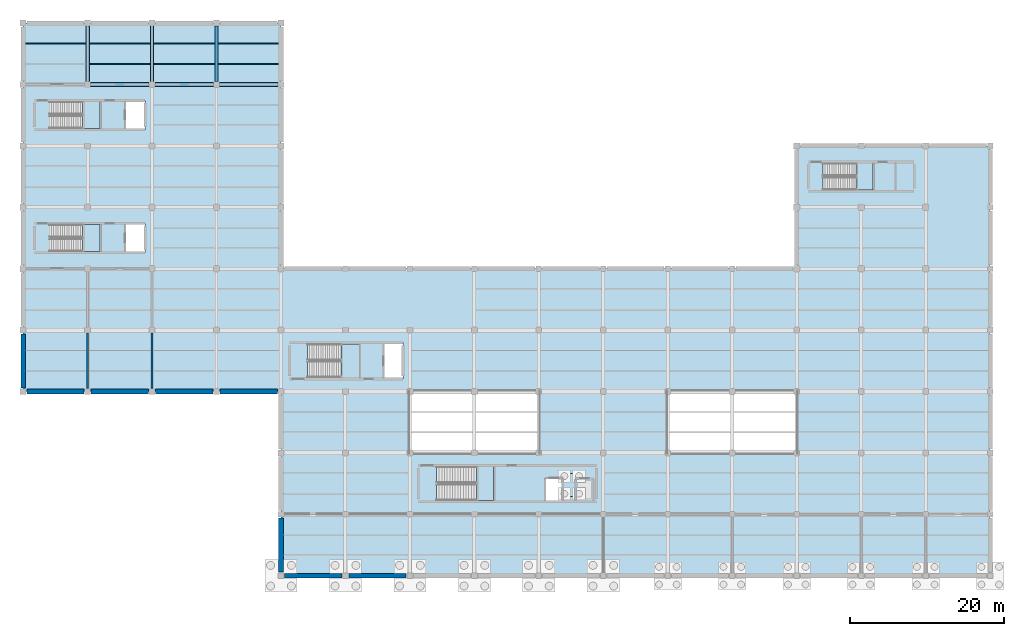
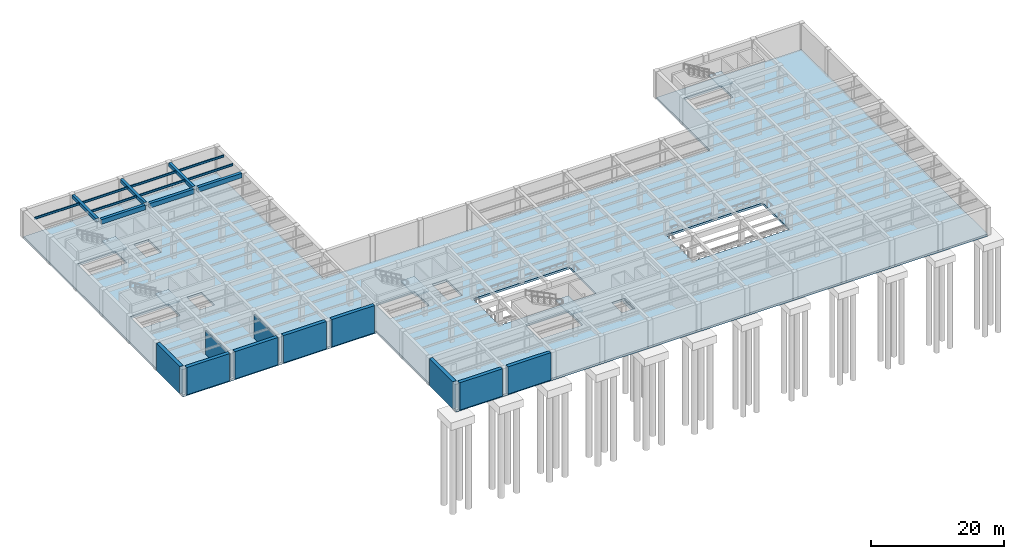
# One storey, part 4 of 16: 13 beams, 10 walls, 7 slabs, 5 elements without a shape of their own.
"""IFC4 building model written with IfcOpenShell, lengths in metres."""

from ifc_helpers import new_model, si_unit, direction, frame, frame_2d, origin, origin_2d, place, context, subcontext, project, spatial, polyline, rectangle, i_section, outline, extrude, material, layer, layer_set, material_profile, profile_set, type_object, element, aggregate, save


model = new_model("IFC4")

# Units and contexts
model_context = context("Model", 3, precision=1e-05, world=origin(), true_north=direction((0.0, 1.0)))
body_context = subcontext(model_context, "Body", "Model", "MODEL_VIEW")
ifc_project = project(units=[si_unit("LENGTHUNIT", "METRE"), si_unit("AREAUNIT", "SQUARE_METRE"), si_unit("VOLUMEUNIT", "CUBIC_METRE"), si_unit("PLANEANGLEUNIT", "RADIAN"), si_unit("MASSUNIT", "GRAM", prefix="KILO")], contexts=[model_context])

# Site, building, storey
site_placement = place(None, origin())
site = spatial("IfcSite", under=ifc_project, at=site_placement, CompositionType="ELEMENT")
building_placement = place(site_placement, origin())
building = spatial("IfcBuilding", under=site, at=building_placement, Name="Kranzveld Transit Interchange", CompositionType="ELEMENT")
storey_placement = place(building_placement, frame((0.0, 0.0, -5.43994140625)))
storey = spatial("IfcBuildingStorey", under=building, at=storey_placement, Name="B1", CompositionType="ELEMENT", Elevation=-5.43994140625)

# Beams
ifc_material_1 = material(Name="Concrete C35/45", Category="concrete")
ifc_material_profile_1 = material_profile(ifc_material_1, rectangle(XDim=0.449951171875, YDim=0.64990234375, at=origin_2d()), Name="RC 450x650")
ifc_profile_set_1 = profile_set([ifc_material_profile_1], Name="Concrete C35/45")
beam_type_1 = type_object("IfcBeamType", Name="Beam RC 450x650 C35/45", PredefinedType="BEAM", material=ifc_profile_set_1)
for number, where, z_axis, x_axis, name in (
    (1, (8.39990234375, 88.389892578125, 4.69482421875), (0.0, 1.0, 0.0), (-1.0, 0.0, 0.0), "B1 Girder 02/M-N"),
    (2, (16.800048828125, 88.389892578125, 4.69482421875), (0.0, 1.0, 0.0), (-1.0, 0.0, 0.0), "B1 Girder 03/M-N"),
    (3, (25.199951171875, 88.389892578125, 4.69482421875), (0.0, 1.0, 0.0), (-1.0, 0.0, 0.0), "B1 Girder 04/M-N"),
):
    element("IfcBeam", number, at=place(storey_placement, frame(where, z_axis=z_axis, x_axis=x_axis)), inside=storey, type_object=beam_type_1, Name=name, PredefinedType="BEAM", context=body_context, shape_type="SweptSolid", body=[
        extrude(rectangle(XDim=0.449951171875, YDim=0.64990234375, at=origin_2d()), origin(), (0.0, 0.0, 1.0), 7.22021484375),
    ])
ifc_material_2 = material(Name="Steel S355JR", Category="steel")
ifc_material_profile_2 = material_profile(ifc_material_2, i_section(OverallWidth=0.177978515625, OverallDepth=0.406494140625, WebThickness=0.0078125, FlangeThickness=0.0126953125, FilletRadius=0.01025390625, at=origin_2d()), Name="UB 406x178x60")
ifc_profile_set_2 = profile_set([ifc_material_profile_2], Name="Steel S355JR")
beam_type_2 = type_object("IfcBeamType", Name="Floor Joist UB 406x178x60 S355JR", PredefinedType="JOIST", material=ifc_profile_set_2)
beam_1_placement = place(storey_placement, frame((0.302001953125, 93.333251953125, 4.816650390625), z_axis=(1.0, 0.0, 0.0), x_axis=(0.0, 1.0, 0.0)))
element("IfcBeam", 4, at=beam_1_placement, inside=storey, type_object=beam_type_2, Name="B1 Secondary Joist 01-02/M.2", PredefinedType="JOIST", context=body_context, shape_type="SweptSolid", body=[
    extrude(i_section(OverallWidth=0.177978515625, OverallDepth=0.406494140625, WebThickness=0.0078125, FlangeThickness=0.0126953125, FilletRadius=0.01025390625, at=origin_2d()), origin(), (0.0, 0.0, 1.0), 7.87109375),
])
for number, where, z_axis, x_axis, name in (
    (5, (8.626953125, 90.666748046875, 4.816650390625), (1.0, 0.0, 0.0), (0.0, 1.0, 0.0), "B1 Secondary Joist 02-03/M.1"),
    (6, (8.626953125, 93.333251953125, 4.816650390625), (1.0, 0.0, 0.0), (0.0, 1.0, 0.0), "B1 Secondary Joist 02-03/M.2"),
):
    element("IfcBeam", number, at=place(storey_placement, frame(where, z_axis=z_axis, x_axis=x_axis)), inside=storey, type_object=beam_type_2, Name=name, PredefinedType="JOIST", context=body_context, shape_type="SweptSolid", body=[
        extrude(i_section(OverallWidth=0.177978515625, OverallDepth=0.406494140625, WebThickness=0.0078125, FlangeThickness=0.0126953125, FilletRadius=0.01025390625, at=origin_2d()), origin(), (0.0, 0.0, 1.0), 7.946044921875),
    ])
for number, where, z_axis, x_axis, name in (
    (7, (17.027099609375, 90.666748046875, 4.816650390625), (1.0, 0.0, 0.0), (0.0, 1.0, 0.0), "B1 Secondary Joist 03-04/M.1"),
    (8, (17.027099609375, 93.333251953125, 4.816650390625), (1.0, 0.0, 0.0), (0.0, 1.0, 0.0), "B1 Secondary Joist 03-04/M.2"),
):
    element("IfcBeam", number, at=place(storey_placement, frame(where, z_axis=z_axis, x_axis=x_axis)), inside=storey, type_object=beam_type_2, Name=name, PredefinedType="JOIST", context=body_context, shape_type="SweptSolid", body=[
        extrude(i_section(OverallWidth=0.177978515625, OverallDepth=0.406494140625, WebThickness=0.0078125, FlangeThickness=0.0126953125, FilletRadius=0.01025390625, at=origin_2d()), origin(), (0.0, 0.0, 1.0), 7.94580078125),
    ])
for number, where, z_axis, x_axis, name in (
    (9, (25.427001953125, 90.666748046875, 4.816650390625), (1.0, 0.0, 0.0), (0.0, 1.0, 0.0), "B1 Secondary Joist 04-05/M.1"),
    (10, (25.427001953125, 93.333251953125, 4.816650390625), (1.0, 0.0, 0.0), (0.0, 1.0, 0.0), "B1 Secondary Joist 04-05/M.2"),
):
    element("IfcBeam", number, at=place(storey_placement, frame(where, z_axis=z_axis, x_axis=x_axis)), inside=storey, type_object=beam_type_2, Name=name, PredefinedType="JOIST", context=body_context, shape_type="SweptSolid", body=[
        extrude(i_section(OverallWidth=0.177978515625, OverallDepth=0.406494140625, WebThickness=0.0078125, FlangeThickness=0.0126953125, FilletRadius=0.01025390625, at=origin_2d()), origin(), (0.0, 0.0, 1.0), 7.87109375),
    ])
ifc_material_3 = material(Name="Concrete C40/50", Category="concrete")
ifc_material_profile_3 = material_profile(ifc_material_3, rectangle(XDim=0.5, YDim=0.85009765625, at=origin_2d()), Name="RC 500x850")
ifc_profile_set_3 = profile_set([ifc_material_profile_3], Name="Concrete C40/50")
beam_type_3 = type_object("IfcBeamType", Name="Girder RC 500x850 C40/50", PredefinedType="BEAM", material=ifc_profile_set_3)
beam_2_placement = place(storey_placement, frame((8.7900390625, 88.0, 4.594970703125), z_axis=(1.0, 0.0, 0.0), x_axis=(0.0, 1.0, 0.0)))
element("IfcBeam", 11, at=beam_2_placement, inside=storey, type_object=beam_type_3, Name="B1 Girder 02-03/M", PredefinedType="BEAM", context=body_context, shape_type="SweptSolid", body=[
    extrude(rectangle(XDim=0.5, YDim=0.85009765625, at=origin_2d()), origin(), (0.0, 0.0, 1.0), 7.619873046875),
])
beam_3_placement = place(storey_placement, frame((17.18994140625, 88.0, 4.594970703125), z_axis=(1.0, 0.0, 0.0), x_axis=(0.0, 1.0, 0.0)))
element("IfcBeam", 12, at=beam_3_placement, inside=storey, type_object=beam_type_3, Name="B1 Girder 03-04/M", PredefinedType="BEAM", context=body_context, shape_type="SweptSolid", body=[
    extrude(rectangle(XDim=0.5, YDim=0.85009765625, at=origin_2d()), origin(), (0.0, 0.0, 1.0), 7.6201171875),
])
beam_4_placement = place(storey_placement, frame((25.590087890625, 88.0, 4.594970703125), z_axis=(1.0, 0.0, 0.0), x_axis=(0.0, 1.0, 0.0)))
element("IfcBeam", 13, at=beam_4_placement, inside=storey, type_object=beam_type_3, Name="B1 Girder 04-05/M", PredefinedType="BEAM", context=body_context, shape_type="SweptSolid", body=[
    extrude(rectangle(XDim=0.5, YDim=0.85009765625, at=origin_2d()), origin(), (0.0, 0.0, 1.0), 7.619873046875),
])

# Slabs
ifc_material_4 = material(Name="Concrete C40/50", Category="concrete")
ifc_layer_1 = layer(ifc_material_4, 0.60009765625)
ifc_layer_set_1 = layer_set([ifc_layer_1], Name="Concrete C40/50")
slab_type_1 = type_object("IfcSlabType", Name="Lift Pit Base Slab 600 C40/50", PredefinedType="BASESLAB", material=ifc_layer_set_1)
slab_1_placement = place(storey_placement, frame((0.0, 0.0, -1.0)))
element("IfcSlab", 14, at=slab_1_placement, inside=storey, type_object=slab_type_1, Name="B1 Pit Base Slab PIT-B1", PredefinedType="BASESLAB", context=body_context, shape_type="SweptSolid", body=[
    extrude(outline(polyline([(70.25, 34.35009765625), (72.699951171875, 34.35009765625), (72.699951171875, 37.300048828125), (70.25, 37.300048828125), (70.25, 34.35009765625)])), origin(), (0.0, 0.0, 1.0), 0.599853515625),
])
ifc_material_5 = material(Name="Concrete C40/50", Category="concrete")
ifc_layer_2 = layer(ifc_material_5, 0.39990234375)
ifc_layer_set_2 = layer_set([ifc_layer_2], Name="Concrete C40/50")
slab_type_2 = type_object("IfcSlabType", Name="Metro Concourse Slab 400 C40/50", PredefinedType="FLOOR", material=ifc_layer_set_2)
slab_2_placement = place(storey_placement, frame((0.0, 0.0, -0.400146484375)))
element("IfcSlab", 15, at=slab_2_placement, inside=storey, type_object=slab_type_2, Name="B1 Suspended Floor Slab 1", PredefinedType="FLOOR", context=body_context, shape_type="SweptSolid", body=[
    extrude(outline(polyline([(33.60009765625, 24.0), (33.60009765625, 48.0), (0.0, 48.0), (0.0, 96.0), (33.60009765625, 96.0), (33.60009765625, 64.0), (100.800048828125, 64.0), (100.800048828125, 80.0), (126.0, 80.0), (126.0, 64.0), (126.0, 24.0), (33.60009765625, 24.0)]), holes=[polyline([(43.800048828125, 54.179931640625), (37.068115234375, 54.179931640625), (37.068115234375, 49.820068359375), (43.800048828125, 49.820068359375), (43.800048828125, 54.179931640625)]), polyline([(46.949951171875, 54.360107421875), (46.949951171875, 49.639892578125), (49.5, 49.639892578125), (49.5, 54.360107421875), (46.949951171875, 54.360107421875)]), polyline([(10.050048828125, 69.72998046875), (3.41796875, 69.72998046875), (3.41796875, 66.27001953125), (10.050048828125, 66.27001953125), (10.050048828125, 69.72998046875)]), polyline([(15.89990234375, 69.909912109375), (13.300048828125, 69.909912109375), (13.300048828125, 66.090087890625), (15.89990234375, 66.090087890625), (15.89990234375, 69.909912109375)]), polyline([(10.050048828125, 82.27001953125), (10.050048828125, 85.72998046875), (3.41796875, 85.72998046875), (3.41796875, 82.27001953125), (10.050048828125, 82.27001953125)]), polyline([(13.300048828125, 85.909912109375), (13.300048828125, 82.090087890625), (15.89990234375, 82.090087890625), (15.89990234375, 85.909912109375), (13.300048828125, 85.909912109375)]), polyline([(70.300048828125, 36.715087890625), (68.0, 36.715087890625), (68.0, 33.639892578125), (70.300048828125, 33.639892578125), (70.300048828125, 36.715087890625)]), polyline([(61.300048828125, 33.820068359375), (61.300048828125, 38.179931640625), (53.867919921875, 38.179931640625), (53.867919921875, 33.820068359375), (61.300048828125, 33.820068359375)]), polyline([(50.39990234375, 48.0), (50.39990234375, 40.0), (67.199951171875, 40.0), (67.199951171875, 48.0), (50.39990234375, 48.0)]), polyline([(100.800048828125, 48.0), (84.0, 48.0), (84.0, 40.0), (100.800048828125, 40.0), (100.800048828125, 48.0)]), polyline([(110.75, 74.27001953125), (110.75, 77.72998046875), (104.218017578125, 77.72998046875), (104.218017578125, 74.27001953125), (110.75, 74.27001953125)])]), origin(), (0.0, 0.0, 1.0), 0.400146484375),
])

# Stair, slab
ifc_material_6 = material(Name="Concrete C35/45", Category="concrete")
stair_type_1 = type_object("IfcStairType", Name="Dogleg Stair 1650W H5440 C35/45", PredefinedType="HALF_TURN_STAIR", material=ifc_material_6)
stair_1_placement = place(storey_placement, origin())
stair_1 = element("IfcStair", 16, at=stair_1_placement, inside=storey, type_object=stair_type_1, Name="B1 Operations Core C1", PredefinedType="HALF_TURN_STAIR")
ifc_material_7 = material(Name="Concrete C35/45", Category="concrete")
ifc_layer_3 = layer(ifc_material_7, 0.199951171875)
ifc_layer_set_3 = layer_set([ifc_layer_3], Name="Concrete C35/45")
slab_type_3 = type_object("IfcSlabType", Name="Stair & Ramp Landing 200 C35/45", PredefinedType="LANDING", material=ifc_layer_set_3)
slab_3_placement = place(storey_placement, frame((0.0, 0.0, 2.52001953125)))
slab_3 = element("IfcSlab", 17, at=slab_3_placement, type_object=slab_type_3, Name="ST-C1 landing 1", PredefinedType="LANDING", context=body_context, shape_type="SweptSolid", body=[
    extrude(outline(polyline([(7.75, 66.235107421875), (10.050048828125, 66.235107421875), (10.050048828125, 69.764892578125), (7.75, 69.764892578125), (7.75, 66.235107421875)])), origin(), (0.0, 0.0, 1.0), 0.199951171875),
])
aggregate(stair_1, [slab_3])

stair_2_placement = place(storey_placement, origin())
stair_2 = element("IfcStair", 18, at=stair_2_placement, inside=storey, type_object=stair_type_1, Name="B1 Operations Core C2", PredefinedType="HALF_TURN_STAIR")
slab_4_placement = place(storey_placement, frame((0.0, 0.0, 2.52001953125)))
slab_4 = element("IfcSlab", 19, at=slab_4_placement, type_object=slab_type_3, Name="ST-C2 landing 1", PredefinedType="LANDING", context=body_context, shape_type="SweptSolid", body=[
    extrude(outline(polyline([(7.75, 82.235107421875), (10.050048828125, 82.235107421875), (10.050048828125, 85.764892578125), (7.75, 85.764892578125), (7.75, 82.235107421875)])), origin(), (0.0, 0.0, 1.0), 0.199951171875),
])
aggregate(stair_2, [slab_4])

stair_3_placement = place(storey_placement, origin())
stair_3 = element("IfcStair", 20, at=stair_3_placement, inside=storey, type_object=stair_type_1, Name="B1 Community Core C3", PredefinedType="HALF_TURN_STAIR")
slab_5_placement = place(storey_placement, frame((0.0, 0.0, 2.52001953125)))
slab_5 = element("IfcSlab", 21, at=slab_5_placement, type_object=slab_type_3, Name="ST-V4A landing 1", PredefinedType="LANDING", context=body_context, shape_type="SweptSolid", body=[
    extrude(outline(polyline([(108.550048828125, 74.235107421875), (110.75, 74.235107421875), (110.75, 77.764892578125), (108.550048828125, 77.764892578125), (108.550048828125, 74.235107421875)])), origin(), (0.0, 0.0, 1.0), 0.199951171875),
])
aggregate(stair_3, [slab_5])

ifc_material_8 = material(Name="Concrete C35/45", Category="concrete")
stair_type_2 = type_object("IfcStairType", Name="Dogleg Stair 2100W H5440 C35/45", PredefinedType="HALF_TURN_STAIR", material=ifc_material_8)
stair_4_placement = place(storey_placement, origin())
stair_4 = element("IfcStair", 22, at=stair_4_placement, inside=storey, type_object=stair_type_2, Name="B1 Metro West Core C5", PredefinedType="HALF_TURN_STAIR")
slab_6_placement = place(storey_placement, frame((0.0, 0.0, 2.52001953125)))
slab_6 = element("IfcSlab", 23, at=slab_6_placement, type_object=slab_type_3, Name="ST-M1 landing 1", PredefinedType="LANDING", context=body_context, shape_type="SweptSolid", body=[
    extrude(outline(polyline([(41.39990234375, 49.784912109375), (43.800048828125, 49.784912109375), (43.800048828125, 54.215087890625), (41.39990234375, 54.215087890625), (41.39990234375, 49.784912109375)])), origin(), (0.0, 0.0, 1.0), 0.199951171875),
])
aggregate(stair_4, [slab_6])

stair_5_placement = place(storey_placement, origin())
stair_5 = element("IfcStair", 24, at=stair_5_placement, inside=storey, type_object=stair_type_2, Name="B1 Metro East & Bus Mezzanine Core C6", PredefinedType="HALF_TURN_STAIR")
slab_7_placement = place(storey_placement, frame((0.0, 0.0, 2.52001953125)))
slab_7 = element("IfcSlab", 25, at=slab_7_placement, type_object=slab_type_3, Name="ST-M2 landing 1", PredefinedType="LANDING", context=body_context, shape_type="SweptSolid", body=[
    extrude(outline(polyline([(59.10009765625, 33.784912109375), (61.300048828125, 33.784912109375), (61.300048828125, 38.215087890625), (59.10009765625, 38.215087890625), (59.10009765625, 33.784912109375)])), origin(), (0.0, 0.0, 1.0), 0.199951171875),
])
aggregate(stair_5, [slab_7])

# Walls
ifc_material_9 = material(Name="Clay masonry unit wall, 20 MPa", Category="masonry")
ifc_layer_4 = layer(ifc_material_9, 0.22998046875)
ifc_layer_set_4 = layer_set([ifc_layer_4], Name="Clay masonry unit wall, 20 MPa")
wall_type_1 = type_object("IfcWallType", Name="Fire Compartment Wall Masonry 230 EI120", PredefinedType="PARTITIONING", material=ifc_layer_set_4)
for number, where, z_axis, x_axis, name in (
    (26, (8.39990234375, 48.389892578125, 0.0), (0.0, 0.0, 1.0), (0.0, 1.0, 0.0), "B1 Partition IW-B1-B1W1-E-B111-0"),
    (27, (16.800048828125, 48.389892578125, 0.0), (0.0, 0.0, 1.0), (0.0, 1.0, 0.0), "B1 Partition IW-B1-B1W1-E-B112-0"),
):
    element("IfcWall", number, at=place(storey_placement, frame(where, z_axis=z_axis, x_axis=x_axis)), inside=storey, type_object=wall_type_1, Name=name, PredefinedType="PARTITIONING", context=body_context, shape_type="SweptSolid", body=[
        extrude(rectangle(XDim=7.22021484375, YDim=0.22998046875, at=frame_2d((3.610107421875, 0.0))), origin(), (0.0, 0.0, 1.0), 4.27001953125),
    ])
ifc_material_10 = material(Name="Concrete C40/50", Category="concrete")
ifc_layer_5 = layer(ifc_material_10, 0.60009765625)
ifc_layer_set_5 = layer_set([ifc_layer_5], Name="Concrete C40/50")
wall_type_2 = type_object("IfcWallType", Name="Retaining Wall RC 600 C40/50", PredefinedType="SOLIDWALL", material=ifc_layer_set_5)
for number, where, z_axis, x_axis, name in (
    (28, (34.080078125, 24.0, 0.0), (0.0, 0.0, 1.0), (1.0, 0.0, 0.0), "B1 Perimeter Retaining Wall 1"),
    (29, (42.47998046875, 24.0, 0.0), (0.0, 0.0, 1.0), (1.0, 0.0, 0.0), "B1 Perimeter Retaining Wall 2"),
):
    element("IfcWall", number, at=place(storey_placement, frame(where, z_axis=z_axis, x_axis=x_axis)), inside=storey, type_object=wall_type_2, Name=name, PredefinedType="SOLIDWALL", context=body_context, shape_type="SweptSolid", body=[
        extrude(rectangle(XDim=7.43994140625, YDim=0.60009765625, at=frame_2d((3.719970703125, 0.0))), origin(), (0.0, 0.0, 1.0), 5.02001953125),
    ])
wall_1_placement = place(storey_placement, frame((33.60009765625, 24.47998046875, 0.0), z_axis=(0.0, 0.0, 1.0), x_axis=(0.0, 1.0, 0.0)))
element("IfcWall", 30, at=wall_1_placement, inside=storey, type_object=wall_type_2, Name="B1 Perimeter Retaining Wall 12", PredefinedType="SOLIDWALL", context=body_context, shape_type="SweptSolid", body=[
    extrude(rectangle(XDim=7.0400390625, YDim=0.60009765625, at=frame_2d((3.52001953125, 0.0))), origin(), (0.0, 0.0, 1.0), 5.02001953125),
])
wall_2_placement = place(storey_placement, frame((0.47998046875, 48.0, 0.0), z_axis=(0.0, 0.0, 1.0), x_axis=(1.0, 0.0, 0.0)))
element("IfcWall", 31, at=wall_2_placement, inside=storey, type_object=wall_type_2, Name="B1 Perimeter Retaining Wall 15", PredefinedType="SOLIDWALL", context=body_context, shape_type="SweptSolid", body=[
    extrude(rectangle(XDim=7.43994140625, YDim=0.60009765625, at=frame_2d((3.719970703125, 0.0))), origin(), (0.0, 0.0, 1.0), 5.02001953125),
])
wall_3_placement = place(storey_placement, frame((8.8798828125, 48.0, 0.0), z_axis=(0.0, 0.0, 1.0), x_axis=(1.0, 0.0, 0.0)))
element("IfcWall", 32, at=wall_3_placement, inside=storey, type_object=wall_type_2, Name="B1 Perimeter Retaining Wall 16", PredefinedType="SOLIDWALL", context=body_context, shape_type="SweptSolid", body=[
    extrude(rectangle(XDim=7.440185546875, YDim=0.60009765625, at=frame_2d((3.72021484375, 0.0))), origin(), (0.0, 0.0, 1.0), 5.02001953125),
])
wall_4_placement = place(storey_placement, frame((17.280029296875, 48.0, 0.0), z_axis=(0.0, 0.0, 1.0), x_axis=(1.0, 0.0, 0.0)))
element("IfcWall", 33, at=wall_4_placement, inside=storey, type_object=wall_type_2, Name="B1 Perimeter Retaining Wall 17", PredefinedType="SOLIDWALL", context=body_context, shape_type="SweptSolid", body=[
    extrude(rectangle(XDim=7.43994140625, YDim=0.60009765625, at=frame_2d((3.719970703125, 0.0))), origin(), (0.0, 0.0, 1.0), 5.02001953125),
])
wall_5_placement = place(storey_placement, frame((25.679931640625, 48.0, 0.0), z_axis=(0.0, 0.0, 1.0), x_axis=(1.0, 0.0, 0.0)))
element("IfcWall", 34, at=wall_5_placement, inside=storey, type_object=wall_type_2, Name="B1 Perimeter Retaining Wall 18", PredefinedType="SOLIDWALL", context=body_context, shape_type="SweptSolid", body=[
    extrude(rectangle(XDim=7.440185546875, YDim=0.60009765625, at=frame_2d((3.72021484375, 0.0))), origin(), (0.0, 0.0, 1.0), 5.02001953125),
])
wall_6_placement = place(storey_placement, frame((0.0, 48.47998046875, 0.0), z_axis=(0.0, 0.0, 1.0), x_axis=(0.0, 1.0, 0.0)))
element("IfcWall", 35, at=wall_6_placement, inside=storey, type_object=wall_type_2, Name="B1 Perimeter Retaining Wall 19", PredefinedType="SOLIDWALL", context=body_context, shape_type="SweptSolid", body=[
    extrude(rectangle(XDim=7.0400390625, YDim=0.60009765625, at=frame_2d((3.52001953125, 0.0))), origin(), (0.0, 0.0, 1.0), 5.02001953125),
])

save(model, "model.ifc")
